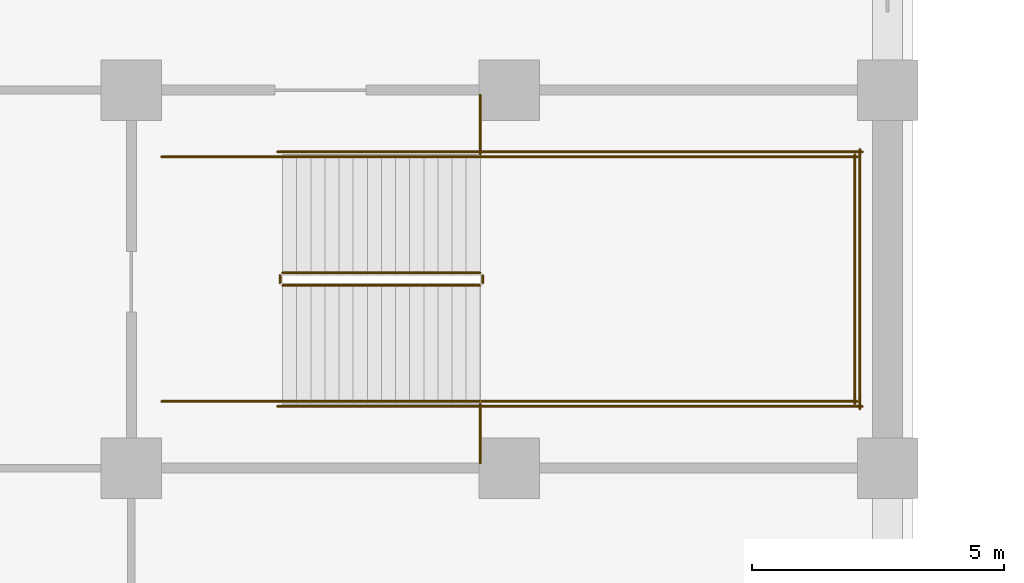
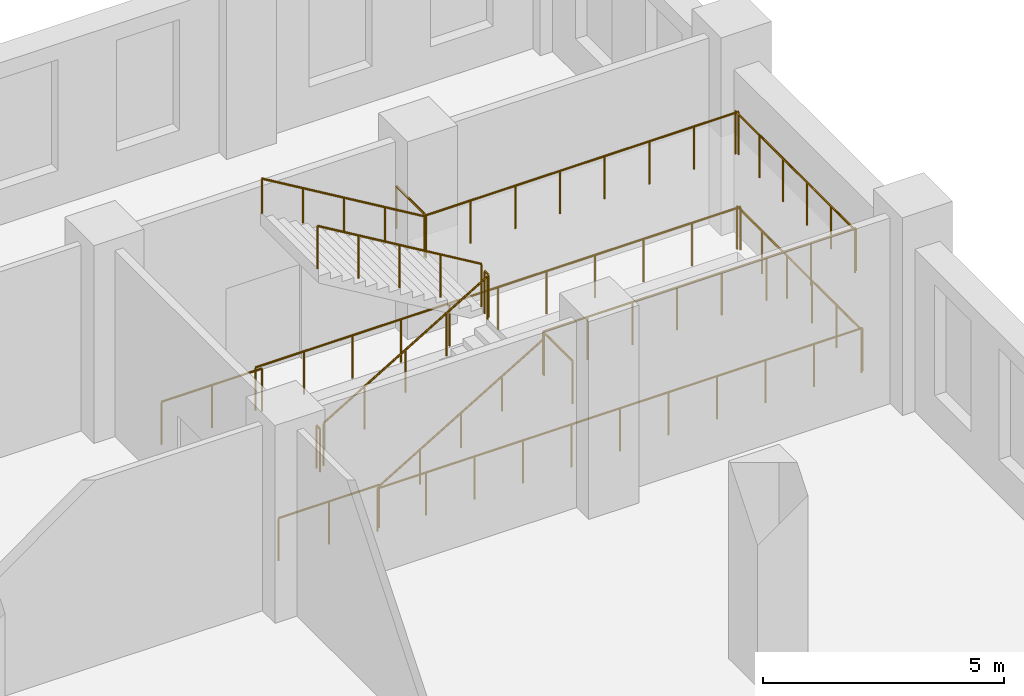
# One storey, part 26 of 32: 16 railings.
"""IFC4 building model written with IfcOpenShell, lengths in metres."""

import ifcopenshell
import ifcopenshell.guid

model = None  # the IFC model being written
_history = None  # IfcOwnerHistory: only IFC2X3 demands one
_inside = {}  # id of a spatial element -> (the spatial element, [elements in it])
_under = {}  # id of a project, library or spatial element -> (it, [spatial elements below it])
_declared = {}  # id of a project -> (the project, [libraries it declares])
_typed = {}  # id of a type object -> (the type object, [elements of that type])
_made_of = {}  # id of a material, layer set ... -> (it, [elements and type objects made of it])


def new_model(schema):
    """Start an empty IFC model of exactly this schema.

    Asked for "IFC4X3", IfcOpenShell would pick the latest addendum, in which some entities
    have other attributes; the version numbers below select the first issue.
    IFC2X3 requires an IfcOwnerHistory on every rooted entity: one is made here for all.
    """
    global model, _history
    if schema == "IFC4X3":
        model = ifcopenshell.file(schema_version=(4, 3, 0, 0))
    else:
        model = ifcopenshell.file(schema=schema)
    _inside.clear()
    _under.clear()
    _declared.clear()
    _typed.clear()
    _made_of.clear()
    _history = None
    if model.schema == "IFC2X3":
        org = make("IfcOrganization", Name="unknown")
        user = make(
            "IfcPersonAndOrganization",
            ThePerson=make("IfcPerson", FamilyName="unknown"),
            TheOrganization=org,
        )
        app = make(
            "IfcApplication",
            ApplicationDeveloper=org,
            Version="unknown",
            ApplicationFullName="unknown",
            ApplicationIdentifier="unknown",
        )
        _history = make(
            "IfcOwnerHistory",
            OwningUser=user,
            OwningApplication=app,
            ChangeAction="ADDED",
            CreationDate=0,
        )
    return model


def make(cls, **values):
    """One entity of the class cls with the attributes given. An attribute that is None is left unset."""
    return model.create_entity(
        cls, **{name: value for name, value in values.items() if value is not None}
    )


def rooted(cls, **values):
    """An entity with a GlobalId (a new one), such as an element, a storey or a relation."""
    return make(cls, GlobalId=ifcopenshell.guid.new(), OwnerHistory=_history, **values)


def si_unit(unit_type, name, prefix=None):
    """IfcSIUnit, for example si_unit("LENGTHUNIT", "METRE", prefix="MILLI")."""
    return make("IfcSIUnit", UnitType=unit_type, Prefix=prefix, Name=name)


def assignment(units):
    """IfcUnitAssignment: the units of a project."""
    return None if units is None else make("IfcUnitAssignment", Units=units)


def point(xyz):
    """IfcCartesianPoint."""
    return None if xyz is None else make("IfcCartesianPoint", Coordinates=xyz)


def direction(xyz):
    """IfcDirection."""
    return None if xyz is None else make("IfcDirection", DirectionRatios=xyz)


def frame(location, z_axis=None, x_axis=None):
    """IfcAxis2Placement3D, a coordinate frame: its origin and axes. An axis left out is left unset."""
    return make(
        "IfcAxis2Placement3D",
        Location=point(location),
        Axis=direction(z_axis),
        RefDirection=direction(x_axis),
    )


def frame_2d(location, x_axis=None):
    """IfcAxis2Placement2D, a coordinate frame in the plane: its origin and x axis."""
    return make(
        "IfcAxis2Placement2D", Location=point(location), RefDirection=direction(x_axis)
    )


def origin():
    """The frame at (0, 0, 0) with its axes left unset."""
    return frame((0.0, 0.0, 0.0))


def origin_2d():
    """The frame at (0, 0) in the plane with its x axis left unset."""
    return frame_2d((0.0, 0.0))


def place(relative_to, where):
    """IfcLocalPlacement: puts the frame where relative to a parent placement (None: the world)."""
    return make(
        "IfcLocalPlacement", PlacementRelTo=relative_to, RelativePlacement=where
    )


def context(
    kind, dimensions, precision=None, world=None, true_north=None, identifier=None
):
    """IfcGeometricRepresentationContext, for example the 3D "Model" context."""
    return make(
        "IfcGeometricRepresentationContext",
        ContextIdentifier=identifier,
        ContextType=kind,
        CoordinateSpaceDimension=dimensions,
        Precision=precision,
        WorldCoordinateSystem=world,
        TrueNorth=true_north,
    )


def subcontext(parent, identifier, kind, view, scale=None):
    """IfcGeometricRepresentationSubContext, for example "Body" below "Model"."""
    return make(
        "IfcGeometricRepresentationSubContext",
        ContextIdentifier=identifier,
        ContextType=kind,
        ParentContext=parent,
        TargetScale=scale,
        TargetView=view,
    )


def project(units=None, contexts=None):
    """IfcProject with its units and contexts."""
    return rooted(
        "IfcProject",
        Name="project",
        RepresentationContexts=contexts,
        UnitsInContext=assignment(units),
    )


def spatial(cls, under=None, at=None, **own):
    """A site, building, storey or space (cls), placed at a placement, below another one or the project."""
    s = rooted(cls, ObjectPlacement=at, **own)
    if under is not None:
        _under.setdefault(under.id(), (under, []))[1].append(s)
    return s


def profile(cls, at=None, kind="AREA", **sizes):
    """A parametric profile (cls). Its sizes go by their IFC names, for example OverallWidth=200.0."""
    return make(cls, ProfileType=kind, Position=at, **sizes)


def circle(**sizes):
    """IfcCircleProfileDef."""
    return profile("IfcCircleProfileDef", **sizes)


def extrude(swept, where, along, depth):
    """IfcExtrudedAreaSolid: the profile swept, set in the frame where, extruded along a direction by depth."""
    return make(
        "IfcExtrudedAreaSolid",
        SweptArea=swept,
        Position=where,
        ExtrudedDirection=direction(along),
        Depth=depth,
    )


def shape(context_of_items, identifier, shape_type, items):
    """IfcShapeRepresentation: the items that make up one representation, for example the "Body"."""
    return make(
        "IfcShapeRepresentation",
        ContextOfItems=context_of_items,
        RepresentationIdentifier=identifier,
        RepresentationType=shape_type,
        Items=items,
    )


def material(Name=None, Category=None):
    """IfcMaterial."""
    return make("IfcMaterial", Name=Name, Category=Category)


def made_of(thing, what):
    """Note that an element or type object is made of a material, layer set ...; save() writes the relation."""
    if what is not None:
        _made_of.setdefault(what.id(), (what, []))[1].append(thing)
    return thing


def type_object(cls, material=None, **own):
    """A type object (cls), such as IfcWallType, which elements share."""
    return made_of(rooted(cls, **own), material)


def element(
    cls,
    number,
    at=None,
    inside=None,
    cuts=None,
    type_object=None,
    material=None,
    context=None,
    identifier="Body",
    shape_type=None,
    held_by="IfcProductDefinitionShape",
    body=None,
    shapes=None,
    **own,
):
    """One element of the class cls, such as IfcWall. Its Tag is "e" and its number.

    at: its placement. inside: the storey or other place that contains it. cuts: it is an
    opening in that element (IfcRelVoidsElement). A single representation is given by context,
    identifier, shape_type and body (its items); several are given by shapes. held_by: the class
    of the entity that holds the representations. save() writes the other relations.
    """
    e = rooted(cls, Tag="e%d" % number, ObjectPlacement=at, **own)
    if body is not None:
        shapes = [shape(context, identifier, shape_type, body)]
    if shapes is not None:
        e.Representation = make(held_by, Representations=shapes)
    if inside is not None:
        _inside.setdefault(inside.id(), (inside, []))[1].append(e)
    if cuts is not None:
        rooted(
            "IfcRelVoidsElement", RelatingBuildingElement=cuts, RelatedOpeningElement=e
        )
    if type_object is not None:
        _typed.setdefault(type_object.id(), (type_object, []))[1].append(e)
    return made_of(e, material)


def aggregate(whole, parts):
    """IfcRelAggregates: a whole, such as a stair, and the parts it consists of."""
    return rooted("IfcRelAggregates", RelatingObject=whole, RelatedObjects=parts)


def save(model, path):
    """Write the relations noted so far, then the file.

    IfcRelAggregates (storeys below a building ...), IfcRelContainedInSpatialStructure (elements
    in a storey), IfcRelDefinesByType, IfcRelAssociatesMaterial and IfcRelDeclares: one each for
    every whole, place, type object, material and project.
    """
    for whole, parts in _under.values():
        aggregate(whole, parts)
    for where, things in _inside.values():
        rooted(
            "IfcRelContainedInSpatialStructure",
            RelatedElements=things,
            RelatingStructure=where,
        )
    for kind, things in _typed.values():
        rooted("IfcRelDefinesByType", RelatedObjects=things, RelatingType=kind)
    for what, things in _made_of.values():
        rooted("IfcRelAssociatesMaterial", RelatedObjects=things, RelatingMaterial=what)
    for by, libraries in _declared.values():
        rooted("IfcRelDeclares", RelatingContext=by, RelatedDefinitions=libraries)
    model.write(path)


model = new_model("IFC4")

# Units and contexts
model_context = context("Model", 3, precision=1e-05, world=origin(), true_north=direction((0.0, 1.0)))
body_context = subcontext(model_context, "Body", "Model", "MODEL_VIEW")
ifc_project = project(units=[si_unit("LENGTHUNIT", "METRE"), si_unit("AREAUNIT", "SQUARE_METRE"), si_unit("VOLUMEUNIT", "CUBIC_METRE"), si_unit("PLANEANGLEUNIT", "RADIAN"), si_unit("MASSUNIT", "GRAM", prefix="KILO")], contexts=[model_context])

# Site, building, storey
site_placement = place(None, origin())
site = spatial("IfcSite", under=ifc_project, at=site_placement, CompositionType="ELEMENT")
building_placement = place(site_placement, origin())
building = spatial("IfcBuilding", under=site, at=building_placement, Name="Tamorin Gate", CompositionType="ELEMENT")
storey_placement = place(building_placement, frame((0.0, 0.0, 18.5)))
storey = spatial("IfcBuildingStorey", under=building, at=storey_placement, Name="L03", CompositionType="ELEMENT", Elevation=18.5)

# Railings
ifc_material = material(Name="Steel", Category="steel")
railing_type_1 = type_object("IfcRailingType", Name="Podium guard 1100", PredefinedType="GUARDRAIL", material=ifc_material)
railing_1_placement = place(storey_placement, frame((100.0, 100.625, 0.166748046875)))
element("IfcRailing", 1, at=railing_1_placement, inside=storey, type_object=railing_type_1, Name="L03 PS4 stair guard 1", PredefinedType="GUARDRAIL", context=body_context, shape_type="SweptSolid", body=[
    extrude(circle(Radius=0.02392578125, at=origin_2d()), frame((0.0, 0.0, 1.076171875), z_axis=(0.859296244711, 0.0, 0.511478214419), x_axis=(0.0, 1.0, 0.0)), (0.0, 0.0, 1.0), 4.561767578125),
    extrude(circle(Radius=0.02099609375, at=origin_2d()), origin(), (0.0, 0.0, 1.0), 1.052001953125),
    extrude(circle(Radius=0.02099609375, at=origin_2d()), frame((0.97998046875, 0.0, 0.583251953125)), (0.0, 0.0, 1.0), 1.052001953125),
    extrude(circle(Radius=0.02099609375, at=origin_2d()), frame((1.9599609375, 0.0, 1.16650390625)), (0.0, 0.0, 1.0), 1.052001953125),
    extrude(circle(Radius=0.02099609375, at=origin_2d()), frame((2.93994140625, 0.0, 1.75)), (0.0, 0.0, 1.0), 1.052001953125),
    extrude(circle(Radius=0.02099609375, at=origin_2d()), frame((3.919921875, 0.0, 2.333251953125)), (0.0, 0.0, 1.0), 1.052001953125),
])
railing_2_placement = place(storey_placement, frame((103.969970703125, 100.675048828125, 2.5)))
element("IfcRailing", 2, at=railing_2_placement, inside=storey, type_object=railing_type_1, Name="L03 PS4 stair guard 2", PredefinedType="GUARDRAIL", context=body_context, shape_type="SweptSolid", body=[
    extrude(circle(Radius=0.02392578125, at=origin_2d()), frame((0.0, 0.0, 1.076171875), z_axis=(0.0, 1.0, 0.0), x_axis=(-1.0, 0.0, 0.0)), (0.0, 0.0, 1.0), 0.14990234375),
    extrude(circle(Radius=0.02099609375, at=origin_2d()), origin(), (0.0, 0.0, 1.0), 1.052001953125),
    extrude(circle(Radius=0.02099609375, at=origin_2d()), frame((0.0, 0.14990234375, 0.0)), (0.0, 0.0, 1.0), 1.052001953125),
])
for number, where, name in (
    (3, (103.919921875, 98.324951171875, 2.5), "L03 PS4 stair guard 3"),
    (4, (103.919921875, 103.175048828125, 2.5), "L03 PS4 stair guard 4"),
):
    element("IfcRailing", number, at=place(storey_placement, frame(where)), inside=storey, type_object=railing_type_1, Name=name, PredefinedType="GUARDRAIL", context=body_context, shape_type="SweptSolid", body=[
        extrude(circle(Radius=0.02392578125, at=origin_2d()), frame((0.0, 0.0, 1.076171875), z_axis=(1.0, 0.0, 0.0), x_axis=(0.0, 1.0, 0.0)), (0.0, 0.0, 1.0), 7.47998046875),
        extrude(circle(Radius=0.02099609375, at=origin_2d()), origin(), (0.0, 0.0, 1.0), 1.052001953125),
        extrude(circle(Radius=0.02099609375, at=origin_2d()), frame((1.068603515625, 0.0, 0.0)), (0.0, 0.0, 1.0), 1.052001953125),
        extrude(circle(Radius=0.02099609375, at=origin_2d()), frame((2.13720703125, 0.0, 0.0)), (0.0, 0.0, 1.0), 1.052001953125),
        extrude(circle(Radius=0.02099609375, at=origin_2d()), frame((3.205810546875, 0.0, 0.0)), (0.0, 0.0, 1.0), 1.052001953125),
        extrude(circle(Radius=0.02099609375, at=origin_2d()), frame((4.274169921875, 0.0, 0.0)), (0.0, 0.0, 1.0), 1.052001953125),
        extrude(circle(Radius=0.02099609375, at=origin_2d()), frame((5.3427734375, 0.0, 0.0)), (0.0, 0.0, 1.0), 1.052001953125),
        extrude(circle(Radius=0.02099609375, at=origin_2d()), frame((6.411376953125, 0.0, 0.0)), (0.0, 0.0, 1.0), 1.052001953125),
        extrude(circle(Radius=0.02099609375, at=origin_2d()), frame((7.47998046875, 0.0, 0.0)), (0.0, 0.0, 1.0), 1.052001953125),
    ])
railing_3_placement = place(storey_placement, frame((111.35009765625, 98.27490234375, 2.5)))
element("IfcRailing", 5, at=railing_3_placement, inside=storey, type_object=railing_type_1, Name="L03 PS4 stair guard 5", PredefinedType="GUARDRAIL", context=body_context, shape_type="SweptSolid", body=[
    extrude(circle(Radius=0.02392578125, at=origin_2d()), frame((0.0, 0.0, 1.076171875), z_axis=(0.0, 1.0, 0.0), x_axis=(-1.0, 0.0, 0.0)), (0.0, 0.0, 1.0), 4.9501953125),
    extrude(circle(Radius=0.02099609375, at=origin_2d()), origin(), (0.0, 0.0, 1.0), 1.052001953125),
    extrude(circle(Radius=0.02099609375, at=origin_2d()), frame((0.0, 0.989990234375, 0.0)), (0.0, 0.0, 1.0), 1.052001953125),
    extrude(circle(Radius=0.02099609375, at=origin_2d()), frame((0.0, 1.97998046875, 0.0)), (0.0, 0.0, 1.0), 1.052001953125),
    extrude(circle(Radius=0.02099609375, at=origin_2d()), frame((0.0, 2.97021484375, 0.0)), (0.0, 0.0, 1.0), 1.052001953125),
    extrude(circle(Radius=0.02099609375, at=origin_2d()), frame((0.0, 3.960205078125, 0.0)), (0.0, 0.0, 1.0), 1.052001953125),
    extrude(circle(Radius=0.02099609375, at=origin_2d()), frame((0.0, 4.9501953125, 0.0)), (0.0, 0.0, 1.0), 1.052001953125),
])
railing_4_placement = place(storey_placement, frame((103.919921875, 100.875, 2.666748046875)))
element("IfcRailing", 6, at=railing_4_placement, inside=storey, type_object=railing_type_1, Name="L03 PS4 stair guard 6", PredefinedType="GUARDRAIL", context=body_context, shape_type="SweptSolid", body=[
    extrude(circle(Radius=0.02392578125, at=origin_2d()), frame((0.0, 0.0, 1.076171875), z_axis=(-0.859296244711, 0.0, 0.511478214419), x_axis=(0.0, -1.0, 0.0)), (0.0, 0.0, 1.0), 4.561767578125),
    extrude(circle(Radius=0.02099609375, at=origin_2d()), origin(), (0.0, 0.0, 1.0), 1.052001953125),
    extrude(circle(Radius=0.02099609375, at=origin_2d()), frame((-0.97998046875, 0.0, 0.583251953125)), (0.0, 0.0, 1.0), 1.052001953125),
    extrude(circle(Radius=0.02099609375, at=origin_2d()), frame((-1.9599609375, 0.0, 1.16650390625)), (0.0, 0.0, 1.0), 1.052001953125),
    extrude(circle(Radius=0.02099609375, at=origin_2d()), frame((-2.93994140625, 0.0, 1.75)), (0.0, 0.0, 1.0), 1.052001953125),
    extrude(circle(Radius=0.02099609375, at=origin_2d()), frame((-3.919921875, 0.0, 2.333251953125)), (0.0, 0.0, 1.0), 1.052001953125),
])
railing_5_placement = place(storey_placement, frame((99.949951171875, 100.675048828125, 0.0)))
element("IfcRailing", 7, at=railing_5_placement, inside=storey, type_object=railing_type_1, Name="L03 PS4 stair guard 7", PredefinedType="GUARDRAIL", context=body_context, shape_type="SweptSolid", body=[
    extrude(circle(Radius=0.02392578125, at=origin_2d()), frame((0.0, 0.0, 1.076171875), z_axis=(0.0, 1.0, 0.0), x_axis=(-1.0, 0.0, 0.0)), (0.0, 0.0, 1.0), 0.14990234375),
    extrude(circle(Radius=0.02099609375, at=origin_2d()), origin(), (0.0, 0.0, 1.0), 1.052001953125),
    extrude(circle(Radius=0.02099609375, at=origin_2d()), frame((0.0, 0.14990234375, 0.0)), (0.0, 0.0, 1.0), 1.052001953125),
])
for number, where, name in (
    (8, (97.60009765625, 98.324951171875, 0.0), "L03 PS4 stair guard 8"),
    (9, (97.60009765625, 103.175048828125, 0.0), "L03 PS4 stair guard 9"),
):
    element("IfcRailing", number, at=place(storey_placement, frame(where)), inside=storey, type_object=railing_type_1, Name=name, PredefinedType="GUARDRAIL", context=body_context, shape_type="SweptSolid", body=[
        extrude(circle(Radius=0.02392578125, at=origin_2d()), frame((0.0, 0.0, 1.076171875), z_axis=(1.0, 0.0, 0.0), x_axis=(0.0, 1.0, 0.0)), (0.0, 0.0, 1.0), 2.39990234375),
        extrude(circle(Radius=0.02099609375, at=origin_2d()), origin(), (0.0, 0.0, 1.0), 1.052001953125),
        extrude(circle(Radius=0.02099609375, at=origin_2d()), frame((1.199951171875, 0.0, 0.0)), (0.0, 0.0, 1.0), 1.052001953125),
        extrude(circle(Radius=0.02099609375, at=origin_2d()), frame((2.39990234375, 0.0, 0.0)), (0.0, 0.0, 1.0), 1.052001953125),
    ])
for number, where, name in (
    (10, (99.89990234375, 98.22509765625, 0.0), "L03 PS4 stair guard 10"),
    (11, (99.89990234375, 103.27490234375, 0.0), "L03 PS4 stair guard 11"),
):
    element("IfcRailing", number, at=place(storey_placement, frame(where)), inside=storey, type_object=railing_type_1, Name=name, PredefinedType="GUARDRAIL", context=body_context, shape_type="SweptSolid", body=[
        extrude(circle(Radius=0.02392578125, at=origin_2d()), frame((0.0, 0.0, 1.076171875), z_axis=(1.0, 0.0, 0.0), x_axis=(0.0, 1.0, 0.0)), (0.0, 0.0, 1.0), 11.60009765625),
        extrude(circle(Radius=0.02099609375, at=origin_2d()), origin(), (0.0, 0.0, 1.0), 1.052001953125),
        extrude(circle(Radius=0.02099609375, at=origin_2d()), frame((1.159912109375, 0.0, 0.0)), (0.0, 0.0, 1.0), 1.052001953125),
        extrude(circle(Radius=0.02099609375, at=origin_2d()), frame((2.320068359375, 0.0, 0.0)), (0.0, 0.0, 1.0), 1.052001953125),
        extrude(circle(Radius=0.02099609375, at=origin_2d()), frame((3.47998046875, 0.0, 0.0)), (0.0, 0.0, 1.0), 1.052001953125),
        extrude(circle(Radius=0.02099609375, at=origin_2d()), frame((4.64013671875, 0.0, 0.0)), (0.0, 0.0, 1.0), 1.052001953125),
        extrude(circle(Radius=0.02099609375, at=origin_2d()), frame((5.800048828125, 0.0, 0.0)), (0.0, 0.0, 1.0), 1.052001953125),
        extrude(circle(Radius=0.02099609375, at=origin_2d()), frame((6.9599609375, 0.0, 0.0)), (0.0, 0.0, 1.0), 1.052001953125),
        extrude(circle(Radius=0.02099609375, at=origin_2d()), frame((8.1201171875, 0.0, 0.0)), (0.0, 0.0, 1.0), 1.052001953125),
        extrude(circle(Radius=0.02099609375, at=origin_2d()), frame((9.280029296875, 0.0, 0.0)), (0.0, 0.0, 1.0), 1.052001953125),
        extrude(circle(Radius=0.02099609375, at=origin_2d()), frame((10.440185546875, 0.0, 0.0)), (0.0, 0.0, 1.0), 1.052001953125),
        extrude(circle(Radius=0.02099609375, at=origin_2d()), frame((11.60009765625, 0.0, 0.0)), (0.0, 0.0, 1.0), 1.052001953125),
    ])
railing_6_placement = place(storey_placement, frame((111.449951171875, 98.175048828125, 0.0)))
element("IfcRailing", 12, at=railing_6_placement, inside=storey, type_object=railing_type_1, Name="L03 PS4 stair guard 12", PredefinedType="GUARDRAIL", context=body_context, shape_type="SweptSolid", body=[
    extrude(circle(Radius=0.02392578125, at=origin_2d()), frame((0.0, 0.0, 1.076171875), z_axis=(0.0, 1.0, 0.0), x_axis=(-1.0, 0.0, 0.0)), (0.0, 0.0, 1.0), 5.14990234375),
    extrude(circle(Radius=0.02099609375, at=origin_2d()), origin(), (0.0, 0.0, 1.0), 1.052001953125),
    extrude(circle(Radius=0.02099609375, at=origin_2d()), frame((0.0, 1.030029296875, 0.0)), (0.0, 0.0, 1.0), 1.052001953125),
    extrude(circle(Radius=0.02099609375, at=origin_2d()), frame((0.0, 2.06005859375, 0.0)), (0.0, 0.0, 1.0), 1.052001953125),
    extrude(circle(Radius=0.02099609375, at=origin_2d()), frame((0.0, 3.08984375, 0.0)), (0.0, 0.0, 1.0), 1.052001953125),
    extrude(circle(Radius=0.02099609375, at=origin_2d()), frame((0.0, 4.119873046875, 0.0)), (0.0, 0.0, 1.0), 1.052001953125),
    extrude(circle(Radius=0.02099609375, at=origin_2d()), frame((0.0, 5.14990234375, 0.0)), (0.0, 0.0, 1.0), 1.052001953125),
])
for number, where, name in (
    (13, (103.919921875, 97.10009765625, 2.5), "Landing edge guard"),
    (14, (103.919921875, 103.22509765625, 2.5), "Landing edge guard"),
):
    element("IfcRailing", number, at=place(storey_placement, frame(where)), inside=storey, type_object=railing_type_1, Name=name, PredefinedType="GUARDRAIL", context=body_context, shape_type="SweptSolid", body=[
        extrude(circle(Radius=0.02392578125, at=origin_2d()), frame((0.0, 0.0, 1.076171875), z_axis=(0.0, 1.0, 0.0), x_axis=(-1.0, 0.0, 0.0)), (0.0, 0.0, 1.0), 1.1748046875),
        extrude(circle(Radius=0.02099609375, at=origin_2d()), origin(), (0.0, 0.0, 1.0), 1.052001953125),
        extrude(circle(Radius=0.02099609375, at=origin_2d()), frame((0.0, 1.1748046875, 0.0)), (0.0, 0.0, 1.0), 1.052001953125),
    ])
railing_type_2 = type_object("IfcRailingType", Name="Podium stair handrail 900", PredefinedType="HANDRAIL", material=ifc_material)
railing_7_placement = place(storey_placement, frame((100.0, 98.324951171875, 0.166748046875)))
element("IfcRailing", 15, at=railing_7_placement, inside=storey, type_object=railing_type_2, Name="L03 PS4 stair handrail 1", PredefinedType="HANDRAIL", context=body_context, shape_type="SweptSolid", body=[
    extrude(circle(Radius=0.02392578125, at=origin_2d()), frame((0.0, 0.0, 0.8759765625), z_axis=(0.859296244711, 0.0, 0.511478214419), x_axis=(0.0, 1.0, 0.0)), (0.0, 0.0, 1.0), 4.561767578125),
    extrude(circle(Radius=0.02099609375, at=origin_2d()), origin(), (0.0, 0.0, 1.0), 0.851806640625),
    extrude(circle(Radius=0.02099609375, at=origin_2d()), frame((0.97998046875, 0.0, 0.583251953125)), (0.0, 0.0, 1.0), 0.851806640625),
    extrude(circle(Radius=0.02099609375, at=origin_2d()), frame((1.9599609375, 0.0, 1.16650390625)), (0.0, 0.0, 1.0), 0.851806640625),
    extrude(circle(Radius=0.02099609375, at=origin_2d()), frame((2.93994140625, 0.0, 1.75)), (0.0, 0.0, 1.0), 0.851806640625),
    extrude(circle(Radius=0.02099609375, at=origin_2d()), frame((3.919921875, 0.0, 2.333251953125)), (0.0, 0.0, 1.0), 0.851806640625),
])
railing_8_placement = place(storey_placement, frame((103.919921875, 103.175048828125, 2.666748046875)))
element("IfcRailing", 16, at=railing_8_placement, inside=storey, type_object=railing_type_2, Name="L03 PS4 stair handrail 2", PredefinedType="HANDRAIL", context=body_context, shape_type="SweptSolid", body=[
    extrude(circle(Radius=0.02392578125, at=origin_2d()), frame((0.0, 0.0, 0.8759765625), z_axis=(-0.859296244711, 0.0, 0.511478214419), x_axis=(0.0, -1.0, 0.0)), (0.0, 0.0, 1.0), 4.561767578125),
    extrude(circle(Radius=0.02099609375, at=origin_2d()), origin(), (0.0, 0.0, 1.0), 0.851806640625),
    extrude(circle(Radius=0.02099609375, at=origin_2d()), frame((-0.97998046875, 0.0, 0.583251953125)), (0.0, 0.0, 1.0), 0.851806640625),
    extrude(circle(Radius=0.02099609375, at=origin_2d()), frame((-1.9599609375, 0.0, 1.16650390625)), (0.0, 0.0, 1.0), 0.851806640625),
    extrude(circle(Radius=0.02099609375, at=origin_2d()), frame((-2.93994140625, 0.0, 1.75)), (0.0, 0.0, 1.0), 0.851806640625),
    extrude(circle(Radius=0.02099609375, at=origin_2d()), frame((-3.919921875, 0.0, 2.333251953125)), (0.0, 0.0, 1.0), 0.851806640625),
])

save(model, "model.ifc")
